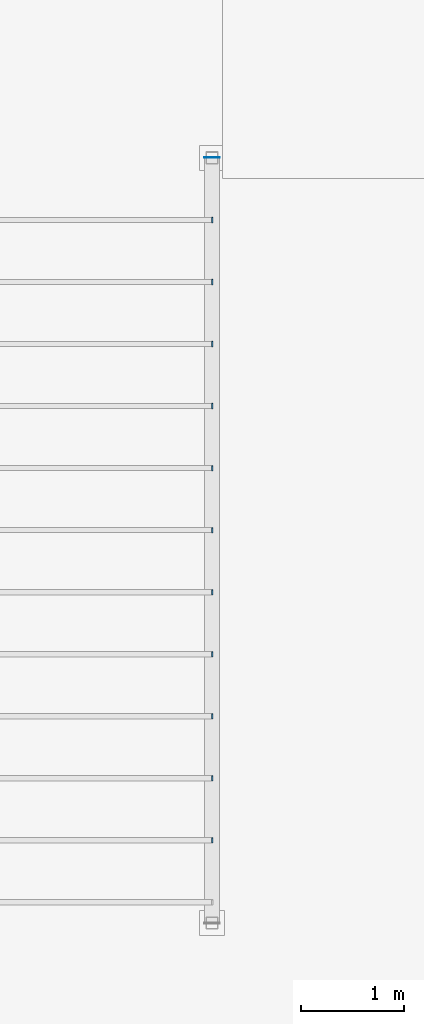
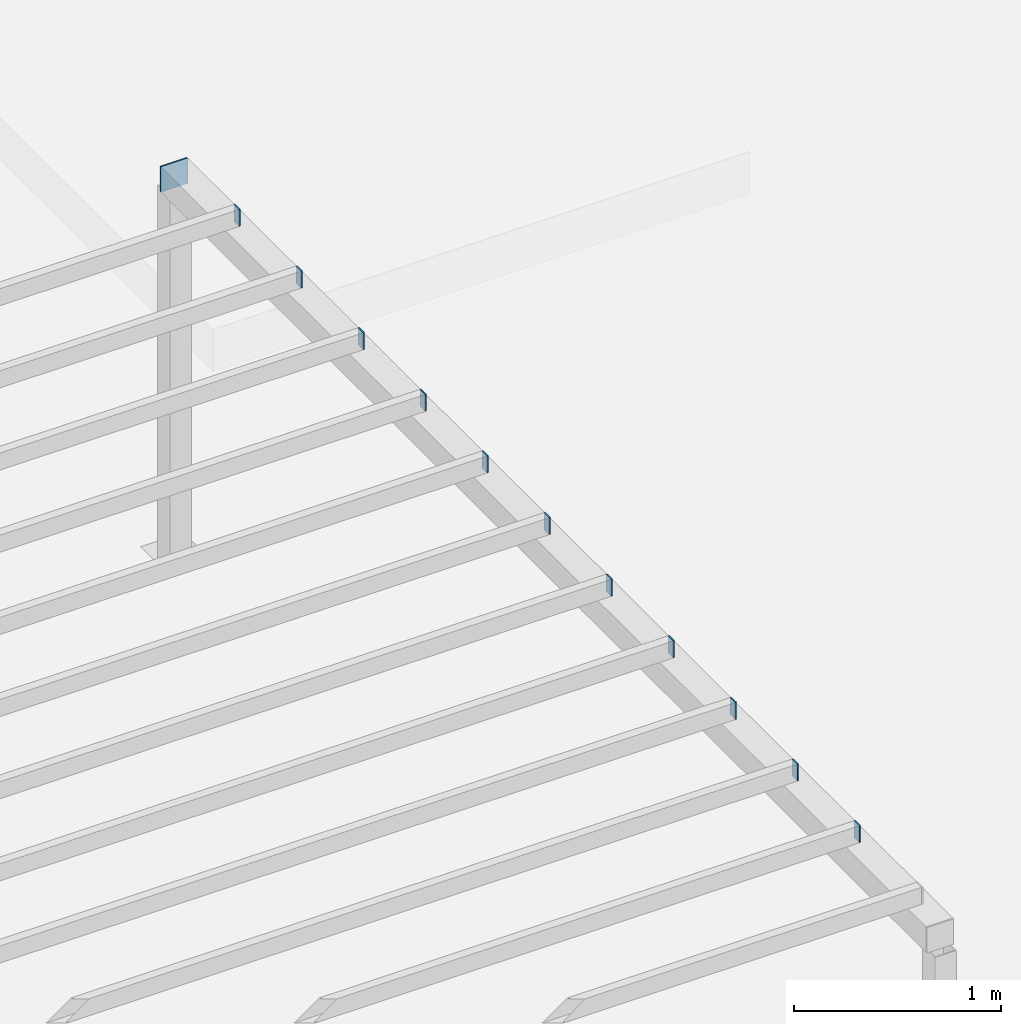
# One storey, part 78 of 92: 12 discrete accessories.
"""IFC4 building model written with IfcOpenShell, lengths in metres."""

from ifc_helpers import new_model, si_unit, direction, frame, origin, origin_2d, place, context, subcontext, project, spatial, rectangle, extrude, material, material_profile, profile_set, type_object, element, save


model = new_model("IFC4")

# Units and contexts
model_context = context("Model", 3, precision=1e-05, world=origin(), true_north=direction((0.0, 1.0)))
body_context = subcontext(model_context, "Body", "Model", "MODEL_VIEW")
ifc_project = project(units=[si_unit("LENGTHUNIT", "METRE"), si_unit("AREAUNIT", "SQUARE_METRE"), si_unit("VOLUMEUNIT", "CUBIC_METRE"), si_unit("PLANEANGLEUNIT", "RADIAN"), si_unit("MASSUNIT", "GRAM", prefix="KILO")], contexts=[model_context])

# Site, building, storey
site_placement = place(None, origin())
site = spatial("IfcSite", under=ifc_project, at=site_placement, CompositionType="ELEMENT")
building_placement = place(site_placement, origin())
building = spatial("IfcBuilding", under=site, at=building_placement, Name="Laocheng Heights Fire and Rescue Headquarters", CompositionType="ELEMENT")
storey_placement = place(building_placement, frame((0.0, 0.0, 12.60009765625)))
storey = spatial("IfcBuildingStorey", under=building, at=storey_placement, Name="L03", CompositionType="ELEMENT", Elevation=12.60009765625)

# Discrete accessories
ifc_material_1 = material(Name="Steel Q355B", Category="steel")
ifc_material_profile_1 = material_profile(ifc_material_1, rectangle(XDim=0.14990234375, YDim=0.14990234375, at=origin_2d()), Name="END CAP PLATE 150 x 150 x 8 FOR STEEL TRELLIS BEAM RHS 150x150x6")
ifc_profile_set_1 = profile_set([ifc_material_profile_1], Name="Steel Q355B")
discrete_accessory_type_1 = type_object("IfcDiscreteAccessoryType", Name="END CAP PLATE 150 x 150 x 8 FOR STEEL TRELLIS BEAM RHS 150x150x6", PredefinedType="BRACKET", material=ifc_profile_set_1)
discrete_accessory_placement = place(storey_placement, frame((59.89990234375, 14.60009765625, 2.625), z_axis=(0.0, 1.0, 0.0), x_axis=(-1.0, 0.0, 0.0)))
element("IfcDiscreteAccessory", 1, at=discrete_accessory_placement, inside=storey, type_object=discrete_accessory_type_1, Name="Cap plate at Trellis beam end 2", PredefinedType="BRACKET", context=body_context, shape_type="SweptSolid", body=[
    extrude(rectangle(XDim=0.14990234375, YDim=0.14990234375, at=origin_2d()), origin(), (0.0, 0.0, 1.0), 0.0078125),
])
ifc_material_2 = material(Name="Steel Q355B", Category="steel")
ifc_material_profile_2 = material_profile(ifc_material_2, rectangle(XDim=0.050048828125, YDim=0.10009765625, at=origin_2d()), Name="END CAP PLATE 50 x 100 x 8 FOR STEEL TRELLIS JOIST RHS 100x50x4")
ifc_profile_set_2 = profile_set([ifc_material_profile_2], Name="Steel Q355B")
discrete_accessory_type_2 = type_object("IfcDiscreteAccessoryType", Name="END CAP PLATE 50 x 100 x 8 FOR STEEL TRELLIS JOIST RHS 100x50x4", PredefinedType="BRACKET", material=ifc_profile_set_2)
for number, where, z_axis, x_axis, name in (
    (2, (59.89990234375, 12.800048828125, 2.75), (1.0, 0.0, 0.0), (0.0, 1.0, 0.0), "Cap plate at Trellis E flank joist end 2"),
    (3, (59.89990234375, 13.39990234375, 2.75), (1.0, 0.0, 0.0), (0.0, 1.0, 0.0), "Cap plate at Trellis E flank joist end 2"),
    (4, (59.89990234375, 14.0, 2.75), (1.0, 0.0, 0.0), (0.0, 1.0, 0.0), "Cap plate at Trellis E flank joist end 2"),
    (5, (59.89990234375, 8.0, 2.75), (1.0, 0.0, 0.0), (0.0, 1.0, 0.0), "Cap plate at Trellis E flank joist end 2"),
    (6, (59.89990234375, 8.60009765625, 2.75), (1.0, 0.0, 0.0), (0.0, 1.0, 0.0), "Cap plate at Trellis E flank joist end 2"),
    (7, (59.89990234375, 9.199951171875, 2.75), (1.0, 0.0, 0.0), (0.0, 1.0, 0.0), "Cap plate at Trellis E flank joist end 2"),
    (8, (59.89990234375, 9.800048828125, 2.75), (1.0, 0.0, 0.0), (0.0, 1.0, 0.0), "Cap plate at Trellis E flank joist end 2"),
    (9, (59.89990234375, 10.39990234375, 2.75), (1.0, 0.0, 0.0), (0.0, 1.0, 0.0), "Cap plate at Trellis E flank joist end 2"),
    (10, (59.89990234375, 11.0, 2.75), (1.0, 0.0, 0.0), (0.0, 1.0, 0.0), "Cap plate at Trellis E flank joist end 2"),
    (11, (59.89990234375, 11.60009765625, 2.75), (1.0, 0.0, 0.0), (0.0, 1.0, 0.0), "Cap plate at Trellis E flank joist end 2"),
    (12, (59.89990234375, 12.199951171875, 2.75), (1.0, 0.0, 0.0), (0.0, 1.0, 0.0), "Cap plate at Trellis E flank joist end 2"),
):
    element("IfcDiscreteAccessory", number, at=place(storey_placement, frame(where, z_axis=z_axis, x_axis=x_axis)), inside=storey, type_object=discrete_accessory_type_2, Name=name, PredefinedType="BRACKET", context=body_context, shape_type="SweptSolid", body=[
        extrude(rectangle(XDim=0.050048828125, YDim=0.10009765625, at=origin_2d()), origin(), (0.0, 0.0, 1.0), 0.008056640625),
    ])

save(model, "model.ifc")
